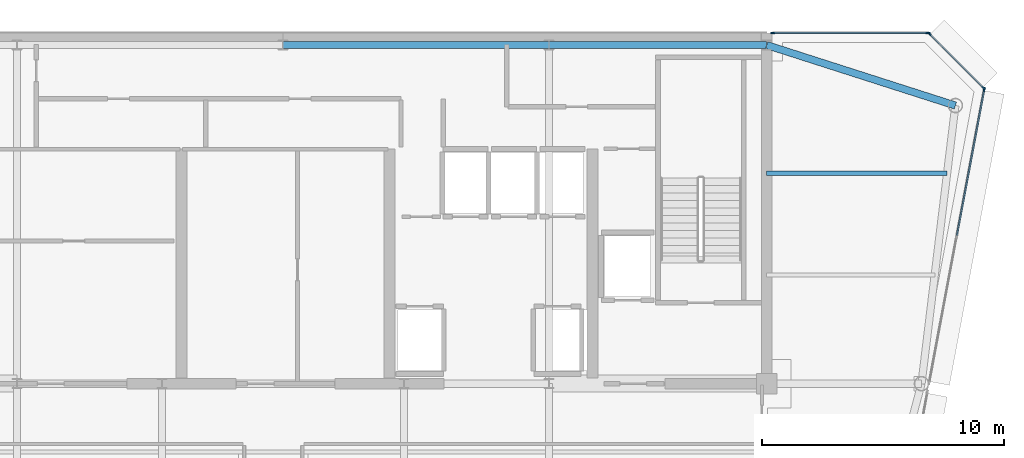
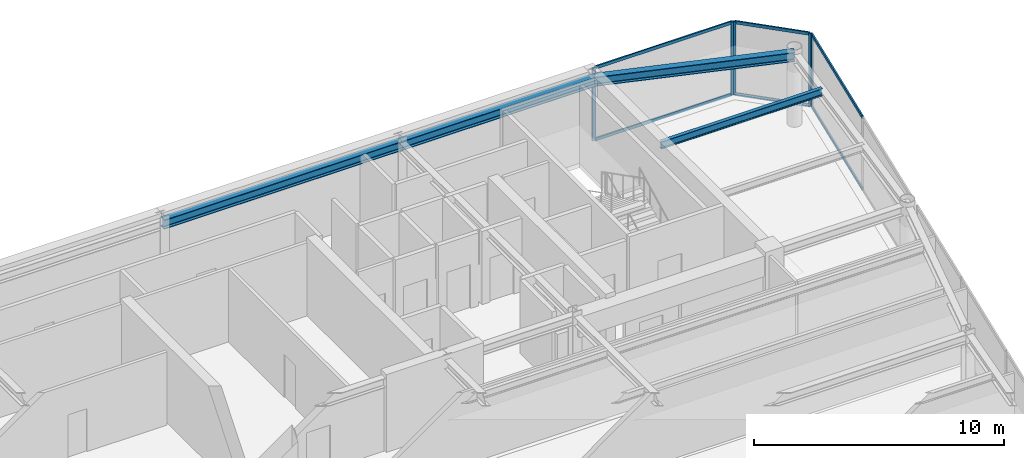
# One storey, part 9 of 20: 11 members, 4 beams, 3 elements without a shape of their own.
"""IFC4 building model written with IfcOpenShell, lengths in metres."""

from ifc_helpers import new_model, si_unit, direction, frame, origin, origin_2d, place, context, subcontext, project, spatial, rectangle, i_section, extrude, source, transform, mapped, material, layer, layer_set, material_profile, profile_set, type_object, element, aggregate, save


model = new_model("IFC4")

# Units and contexts
model_context = context("Model", 3, precision=1e-05, world=origin(), true_north=direction((0.0, 1.0)))
body_context = subcontext(model_context, "Body", "Model", "MODEL_VIEW")
ifc_project = project(units=[si_unit("LENGTHUNIT", "METRE"), si_unit("AREAUNIT", "SQUARE_METRE"), si_unit("VOLUMEUNIT", "CUBIC_METRE"), si_unit("PLANEANGLEUNIT", "RADIAN"), si_unit("MASSUNIT", "GRAM", prefix="KILO")], contexts=[model_context])

# Site, building, storey
site_placement = place(None, origin())
site = spatial("IfcSite", under=ifc_project, at=site_placement, CompositionType="ELEMENT")
building_placement = place(site_placement, origin())
building = spatial("IfcBuilding", under=site, at=building_placement, Name="Vaeldorn Concourse Tower", CompositionType="ELEMENT")
storey_placement = place(building_placement, frame((0.0, 0.0, 291.60009765625)))
storey = spatial("IfcBuildingStorey", under=building, at=storey_placement, Name="L75", CompositionType="ELEMENT", Elevation=291.60009765625)

# Beams
ifc_material_1 = material(Name="Steel S355", Category="steel")
ifc_material_profile_1 = material_profile(ifc_material_1, i_section(OverallWidth=0.300048828125, OverallDepth=0.449951171875, WebThickness=0.013916015625, FlangeThickness=0.02587890625, FilletRadius=0.027099609375, at=origin_2d()), Name="HEB 450")
ifc_profile_set_1 = profile_set([ifc_material_profile_1], Name="Steel S355")
beam_type_1 = type_object("IfcBeamType", Name="BM-PG-HEB450", PredefinedType="BEAM", material=ifc_profile_set_1)
shared_shape_1 = source(origin(), body_context, "Body", "SweptSolid", [
    extrude(i_section(OverallWidth=0.300048828125, OverallDepth=0.449951171875, WebThickness=0.013916015625, FlangeThickness=0.02587890625, FilletRadius=0.027099609375, at=origin_2d()), origin(), (0.0, 0.0, 1.0), 11.0),
])
beam_1_placement = place(storey_placement, frame((34.0, 50.5, 3.35498046875), z_axis=(1.0, 0.0, 0.0), x_axis=(0.0, 1.0, 0.0)))
element("IfcBeam", 1, at=beam_1_placement, inside=storey, type_object=beam_type_1, Name="Beam BM-L75-C-HC3-C-HC4", PredefinedType="BEAM", context=body_context, shape_type="MappedRepresentation", body=[
    mapped(shared_shape_1, transform((0.0, 0.0, 0.0), scale=1.0)),
])
ifc_material_profile_2 = material_profile(ifc_material_1, i_section(OverallWidth=0.169921875, OverallDepth=0.360107421875, WebThickness=0.008056640625, FlangeThickness=0.0126953125, FilletRadius=0.01806640625, at=origin_2d()), Name="IPE 360")
ifc_profile_set_2 = profile_set([ifc_material_profile_2], Name="Steel S355")
beam_type_2 = type_object("IfcBeamType", Name="BM-JS-IPE360", PredefinedType="JOIST", material=ifc_profile_set_2)
shared_shape_2 = source(origin(), body_context, "Body", "SweptSolid", [
    extrude(i_section(OverallWidth=0.169921875, OverallDepth=0.360107421875, WebThickness=0.008056640625, FlangeThickness=0.0126953125, FilletRadius=0.01806640625, at=origin_2d()), origin(), (0.0, 0.0, 1.0), 7.458984375),
])
beam_2_placement = place(storey_placement, frame((54.0, 45.199951171875, 3.39990234375), z_axis=(1.0, 0.0, 0.0), x_axis=(0.0, 1.0, 0.0)))
element("IfcBeam", 2, at=beam_2_placement, inside=storey, type_object=beam_type_2, Name="Beam JS-L75-NE-452", PredefinedType="JOIST", context=body_context, shape_type="MappedRepresentation", body=[
    mapped(shared_shape_2, transform((0.0, 0.0, 0.0), scale=1.0)),
])
shared_shape_3 = source(origin(), body_context, "Body", "SweptSolid", [
    extrude(i_section(OverallWidth=0.300048828125, OverallDepth=0.449951171875, WebThickness=0.013916015625, FlangeThickness=0.02587890625, FilletRadius=0.027099609375, at=origin_2d()), origin(), (0.0, 0.0, 1.0), 9.0),
])
beam_3_placement = place(storey_placement, frame((45.0, 50.5, 3.35498046875), z_axis=(1.0, 0.0, 0.0), x_axis=(0.0, 1.0, 0.0)))
element("IfcBeam", 3, at=beam_3_placement, inside=storey, type_object=beam_type_1, Name="Beam BM-L75-C-HC4-C-HC5", PredefinedType="BEAM", context=body_context, shape_type="MappedRepresentation", body=[
    mapped(shared_shape_3, transform((0.0, 0.0, 0.0), scale=1.0)),
])
shared_shape_4 = source(origin(), body_context, "Body", "SweptSolid", [
    extrude(i_section(OverallWidth=0.300048828125, OverallDepth=0.449951171875, WebThickness=0.013916015625, FlangeThickness=0.02587890625, FilletRadius=0.027099609375, at=origin_2d()), origin(), (0.0, 0.0, 1.0), 8.19091796875),
])
beam_4_placement = place(storey_placement, frame((54.0, 50.5, 3.35498046875), z_axis=(0.952282843383, -0.305216949396, 0.0), x_axis=(0.305216949396, 0.952282843383, 0.0)))
element("IfcBeam", 4, at=beam_4_placement, inside=storey, type_object=beam_type_1, Name="Beam BM-L75-C-HC5-C-NE1", PredefinedType="BEAM", context=body_context, shape_type="MappedRepresentation", body=[
    mapped(shared_shape_4, transform((0.0, 0.0, 0.0), scale=1.0)),
])

# Curtain wall, member
ifc_material_2 = material(Name="Anodised Bronze Aluminium", Category="aluminium")
ifc_layer = layer(ifc_material_2, 0.179931640625)
ifc_layer_set = layer_set([ifc_layer], Name="Anodised Bronze Aluminium")
curtain_wall_type = type_object("IfcCurtainWallType", Name="CW-SYS-05", PredefinedType="NOTDEFINED", material=ifc_layer_set)
curtain_wall_1_placement = place(storey_placement, origin())
curtain_wall_1 = element("IfcCurtainWall", 5, at=curtain_wall_1_placement, inside=storey, type_object=curtain_wall_type, Name="Unitised Curtain Wall CW-L75-E07-2", PredefinedType="NOTDEFINED")
ifc_material_profile_3 = material_profile(ifc_material_2, rectangle(XDim=0.06494140625, YDim=0.169921875, at=origin_2d()), Name="CWM 65x170")
ifc_profile_set_3 = profile_set([ifc_material_profile_3], Name="Anodised Bronze Aluminium")
member_type_1 = type_object("IfcMemberType", Name="CWM-BRONZE-170", PredefinedType="MULLION", material=ifc_profile_set_3)
shared_shape_5 = source(origin(), body_context, "Body", "SweptSolid", [
    extrude(rectangle(XDim=0.06494140625, YDim=0.169921875, at=origin_2d()), origin(), (0.0, 0.0, 1.0), 3.579833984375),
])
member_1_placement = place(storey_placement, frame((62.993896484375, 48.66796875, 0.0), z_axis=(0.0, 0.0, 1.0), x_axis=(-0.982880218842, 0.184245693053, 0.0)))
member_1 = element("IfcMember", 6, at=member_1_placement, type_object=member_type_1, Name="CW-05 mullion 3", PredefinedType="MULLION", context=body_context, shape_type="MappedRepresentation", body=[
    mapped(shared_shape_5, transform((0.0, 0.0, 0.0), scale=1.0)),
])

# Curtain wall, members
curtain_wall_2_placement = place(storey_placement, origin())
curtain_wall_2 = element("IfcCurtainWall", 7, at=curtain_wall_2_placement, inside=storey, type_object=curtain_wall_type, Name="Unitised Curtain Wall CW-L75-E08-1", PredefinedType="NOTDEFINED")
member_2_placement = place(storey_placement, frame((62.97705078125, 48.722900390625, 0.0), z_axis=(0.0, 0.0, 1.0), x_axis=(-0.707106781187, -0.707106781187, 0.0)))
member_2 = element("IfcMember", 8, at=member_2_placement, type_object=member_type_1, Name="CW-05 mullion 1", PredefinedType="MULLION", context=body_context, shape_type="MappedRepresentation", body=[
    mapped(shared_shape_5, transform((0.0, 0.0, 0.0), scale=1.0)),
])
member_3_placement = place(storey_placement, frame((60.722900390625, 50.97705078125, 0.0), z_axis=(0.0, 0.0, 1.0), x_axis=(-0.707106781187, -0.707106781187, 0.0)))
member_3 = element("IfcMember", 9, at=member_3_placement, type_object=member_type_1, Name="CW-05 mullion 2", PredefinedType="MULLION", context=body_context, shape_type="MappedRepresentation", body=[
    mapped(shared_shape_5, transform((0.0, 0.0, 0.0), scale=1.0)),
])

curtain_wall_3_placement = place(storey_placement, origin())
curtain_wall_3 = element("IfcCurtainWall", 10, at=curtain_wall_3_placement, inside=storey, type_object=curtain_wall_type, Name="Unitised Curtain Wall CW-L75-E09-1", PredefinedType="NOTDEFINED")
member_4_placement = place(storey_placement, frame((60.66748046875, 51.0, 0.0), z_axis=(0.0, 0.0, 1.0), x_axis=(0.0, -1.0, 0.0)))
member_4 = element("IfcMember", 11, at=member_4_placement, type_object=member_type_1, Name="CW-05 mullion 1", PredefinedType="MULLION", context=body_context, shape_type="MappedRepresentation", body=[
    mapped(shared_shape_5, transform((0.0, 0.0, 0.0), scale=1.0)),
])
member_5_placement = place(storey_placement, frame((54.25244140625, 51.0, 0.0), z_axis=(0.0, 0.0, 1.0), x_axis=(0.0, -1.0, 0.0)))
member_5 = element("IfcMember", 12, at=member_5_placement, type_object=member_type_1, Name="CW-05 mullion 2", PredefinedType="MULLION", context=body_context, shape_type="MappedRepresentation", body=[
    mapped(shared_shape_5, transform((0.0, 0.0, 0.0), scale=1.0)),
])

# Member
ifc_material_profile_4 = material_profile(ifc_material_2, rectangle(XDim=0.06494140625, YDim=0.14990234375, at=origin_2d()), Name="CWT 65x150")
ifc_profile_set_4 = profile_set([ifc_material_profile_4], Name="Anodised Bronze Aluminium")
member_type_2 = type_object("IfcMemberType", Name="CWT-BRONZE-150", PredefinedType="USERDEFINED", material=ifc_profile_set_4)
shared_shape_6 = source(origin(), body_context, "Body", "SweptSolid", [
    extrude(rectangle(XDim=0.06494140625, YDim=0.14990234375, at=origin_2d()), origin(), (0.0, 0.0, 1.0), 3.123046875),
])
member_6_placement = place(storey_placement, frame((62.9541015625, 48.745849609375, 0.032470703125), z_axis=(-0.707106781187, 0.707106781187, 0.0), x_axis=(-0.707106781187, -0.707106781187, 0.0)))
member_6 = element("IfcMember", 13, at=member_6_placement, type_object=member_type_2, Name="CW-05 transom 1.1", ObjectType="TRANSOM", PredefinedType="USERDEFINED", context=body_context, shape_type="MappedRepresentation", body=[
    mapped(shared_shape_6, transform((0.0, 0.0, 0.0), scale=1.0)),
])

member_7_placement = place(storey_placement, frame((62.9541015625, 48.745849609375, 3.54736328125), z_axis=(-0.707106781187, 0.707106781187, 0.0), x_axis=(-0.707106781187, -0.707106781187, 0.0)))
member_7 = element("IfcMember", 14, at=member_7_placement, type_object=member_type_2, Name="CW-05 transom 1.2", ObjectType="TRANSOM", PredefinedType="USERDEFINED", context=body_context, shape_type="MappedRepresentation", body=[
    mapped(shared_shape_6, transform((0.0, 0.0, 0.0), scale=1.0)),
])

aggregate(curtain_wall_2, [member_2, member_3, member_6, member_7])

shared_shape_7 = source(origin(), body_context, "Body", "SweptSolid", [
    extrude(rectangle(XDim=0.06494140625, YDim=0.14990234375, at=origin_2d()), origin(), (0.0, 0.0, 1.0), 6.35009765625),
])
member_8_placement = place(storey_placement, frame((60.635009765625, 51.0, 0.032470703125), z_axis=(-1.0, 0.0, 0.0), x_axis=(0.0, -1.0, 0.0)))
member_8 = element("IfcMember", 15, at=member_8_placement, type_object=member_type_2, Name="CW-05 transom 1.1", ObjectType="TRANSOM", PredefinedType="USERDEFINED", context=body_context, shape_type="MappedRepresentation", body=[
    mapped(shared_shape_7, transform((0.0, 0.0, 0.0), scale=1.0)),
])

member_9_placement = place(storey_placement, frame((60.635009765625, 51.0, 3.54736328125), z_axis=(-1.0, 0.0, 0.0), x_axis=(0.0, -1.0, 0.0)))
member_9 = element("IfcMember", 16, at=member_9_placement, type_object=member_type_2, Name="CW-05 transom 1.2", ObjectType="TRANSOM", PredefinedType="USERDEFINED", context=body_context, shape_type="MappedRepresentation", body=[
    mapped(shared_shape_7, transform((0.0, 0.0, 0.0), scale=1.0)),
])

aggregate(curtain_wall_3, [member_4, member_5, member_8, member_9])

shared_shape_8 = source(origin(), body_context, "Body", "SweptSolid", [
    extrude(rectangle(XDim=0.06494140625, YDim=0.14990234375, at=origin_2d()), origin(), (0.0, 0.0, 1.0), 6.103515625),
])
member_10_placement = place(storey_placement, frame((61.863525390625, 42.63720703125, 0.032470703125), z_axis=(0.18424023288, 0.982881242363, 0.0), x_axis=(-0.982881242363, 0.18424023288, 0.0)))
member_10 = element("IfcMember", 17, at=member_10_placement, type_object=member_type_2, Name="CW-05 transom 2.1", ObjectType="TRANSOM", PredefinedType="USERDEFINED", context=body_context, shape_type="MappedRepresentation", body=[
    mapped(shared_shape_8, transform((0.0, 0.0, 0.0), scale=1.0)),
])

member_11_placement = place(storey_placement, frame((61.863525390625, 42.63720703125, 3.54736328125), z_axis=(0.18424023288, 0.982881242363, 0.0), x_axis=(-0.982881242363, 0.18424023288, 0.0)))
member_11 = element("IfcMember", 18, at=member_11_placement, type_object=member_type_2, Name="CW-05 transom 2.2", ObjectType="TRANSOM", PredefinedType="USERDEFINED", context=body_context, shape_type="MappedRepresentation", body=[
    mapped(shared_shape_8, transform((0.0, 0.0, 0.0), scale=1.0)),
])

aggregate(curtain_wall_1, [member_1, member_10, member_11])

save(model, "model.ifc")
